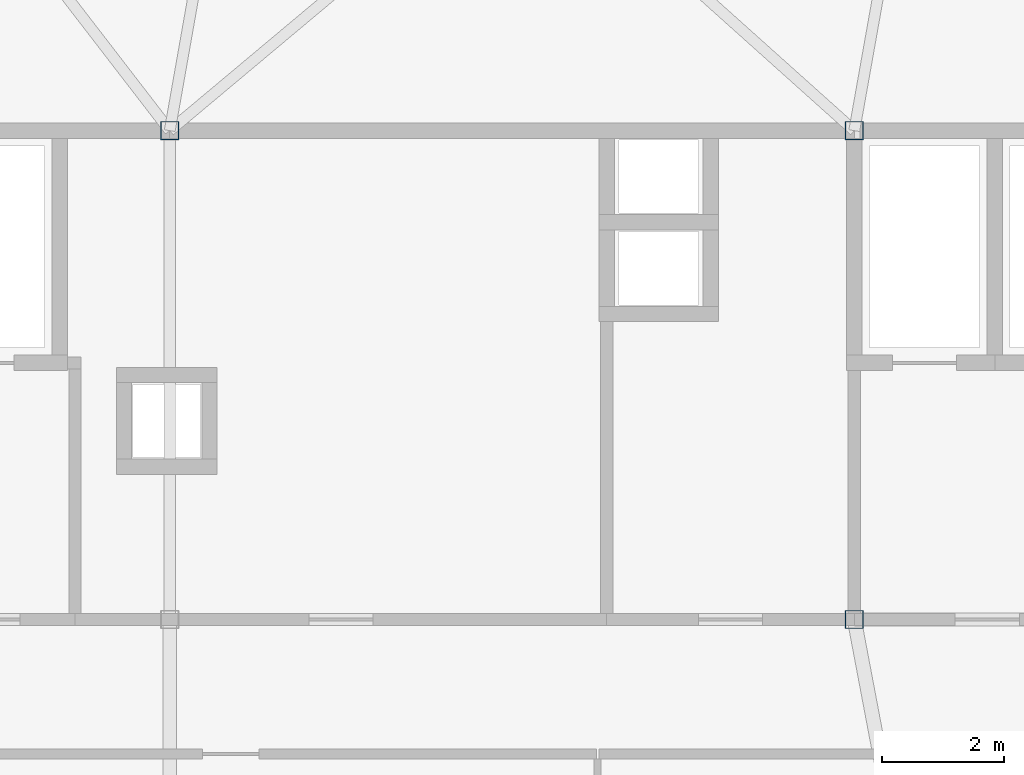
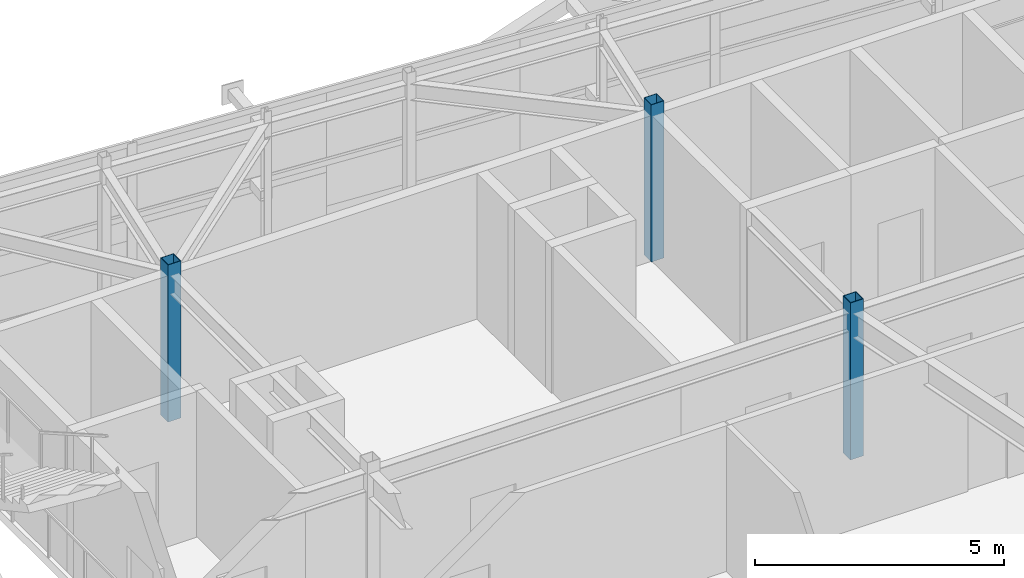
# One storey, part 4 of 35: 3 columns.
"""IFC4 building model written with IfcOpenShell, lengths in metres."""

import ifcopenshell
import ifcopenshell.guid

model = None  # the IFC model being written
_history = None  # IfcOwnerHistory: only IFC2X3 demands one
_inside = {}  # id of a spatial element -> (the spatial element, [elements in it])
_under = {}  # id of a project, library or spatial element -> (it, [spatial elements below it])
_declared = {}  # id of a project -> (the project, [libraries it declares])
_typed = {}  # id of a type object -> (the type object, [elements of that type])
_made_of = {}  # id of a material, layer set ... -> (it, [elements and type objects made of it])


def new_model(schema):
    """Start an empty IFC model of exactly this schema.

    Asked for "IFC4X3", IfcOpenShell would pick the latest addendum, in which some entities
    have other attributes; the version numbers below select the first issue.
    IFC2X3 requires an IfcOwnerHistory on every rooted entity: one is made here for all.
    """
    global model, _history
    if schema == "IFC4X3":
        model = ifcopenshell.file(schema_version=(4, 3, 0, 0))
    else:
        model = ifcopenshell.file(schema=schema)
    _inside.clear()
    _under.clear()
    _declared.clear()
    _typed.clear()
    _made_of.clear()
    _history = None
    if model.schema == "IFC2X3":
        org = make("IfcOrganization", Name="unknown")
        user = make(
            "IfcPersonAndOrganization",
            ThePerson=make("IfcPerson", FamilyName="unknown"),
            TheOrganization=org,
        )
        app = make(
            "IfcApplication",
            ApplicationDeveloper=org,
            Version="unknown",
            ApplicationFullName="unknown",
            ApplicationIdentifier="unknown",
        )
        _history = make(
            "IfcOwnerHistory",
            OwningUser=user,
            OwningApplication=app,
            ChangeAction="ADDED",
            CreationDate=0,
        )
    return model


def make(cls, **values):
    """One entity of the class cls with the attributes given. An attribute that is None is left unset."""
    return model.create_entity(
        cls, **{name: value for name, value in values.items() if value is not None}
    )


def rooted(cls, **values):
    """An entity with a GlobalId (a new one), such as an element, a storey or a relation."""
    return make(cls, GlobalId=ifcopenshell.guid.new(), OwnerHistory=_history, **values)


def si_unit(unit_type, name, prefix=None):
    """IfcSIUnit, for example si_unit("LENGTHUNIT", "METRE", prefix="MILLI")."""
    return make("IfcSIUnit", UnitType=unit_type, Prefix=prefix, Name=name)


def assignment(units):
    """IfcUnitAssignment: the units of a project."""
    return None if units is None else make("IfcUnitAssignment", Units=units)


def point(xyz):
    """IfcCartesianPoint."""
    return None if xyz is None else make("IfcCartesianPoint", Coordinates=xyz)


def direction(xyz):
    """IfcDirection."""
    return None if xyz is None else make("IfcDirection", DirectionRatios=xyz)


def frame(location, z_axis=None, x_axis=None):
    """IfcAxis2Placement3D, a coordinate frame: its origin and axes. An axis left out is left unset."""
    return make(
        "IfcAxis2Placement3D",
        Location=point(location),
        Axis=direction(z_axis),
        RefDirection=direction(x_axis),
    )


def frame_2d(location, x_axis=None):
    """IfcAxis2Placement2D, a coordinate frame in the plane: its origin and x axis."""
    return make(
        "IfcAxis2Placement2D", Location=point(location), RefDirection=direction(x_axis)
    )


def origin():
    """The frame at (0, 0, 0) with its axes left unset."""
    return frame((0.0, 0.0, 0.0))


def origin_2d():
    """The frame at (0, 0) in the plane with its x axis left unset."""
    return frame_2d((0.0, 0.0))


def place(relative_to, where):
    """IfcLocalPlacement: puts the frame where relative to a parent placement (None: the world)."""
    return make(
        "IfcLocalPlacement", PlacementRelTo=relative_to, RelativePlacement=where
    )


def context(
    kind, dimensions, precision=None, world=None, true_north=None, identifier=None
):
    """IfcGeometricRepresentationContext, for example the 3D "Model" context."""
    return make(
        "IfcGeometricRepresentationContext",
        ContextIdentifier=identifier,
        ContextType=kind,
        CoordinateSpaceDimension=dimensions,
        Precision=precision,
        WorldCoordinateSystem=world,
        TrueNorth=true_north,
    )


def subcontext(parent, identifier, kind, view, scale=None):
    """IfcGeometricRepresentationSubContext, for example "Body" below "Model"."""
    return make(
        "IfcGeometricRepresentationSubContext",
        ContextIdentifier=identifier,
        ContextType=kind,
        ParentContext=parent,
        TargetScale=scale,
        TargetView=view,
    )


def project(units=None, contexts=None):
    """IfcProject with its units and contexts."""
    return rooted(
        "IfcProject",
        Name="project",
        RepresentationContexts=contexts,
        UnitsInContext=assignment(units),
    )


def spatial(cls, under=None, at=None, **own):
    """A site, building, storey or space (cls), placed at a placement, below another one or the project."""
    s = rooted(cls, ObjectPlacement=at, **own)
    if under is not None:
        _under.setdefault(under.id(), (under, []))[1].append(s)
    return s


def profile(cls, at=None, kind="AREA", **sizes):
    """A parametric profile (cls). Its sizes go by their IFC names, for example OverallWidth=200.0."""
    return make(cls, ProfileType=kind, Position=at, **sizes)


def hollow_rectangle(**sizes):
    """IfcRectangleHollowProfileDef."""
    return profile("IfcRectangleHollowProfileDef", **sizes)


def extrude(swept, where, along, depth):
    """IfcExtrudedAreaSolid: the profile swept, set in the frame where, extruded along a direction by depth."""
    return make(
        "IfcExtrudedAreaSolid",
        SweptArea=swept,
        Position=where,
        ExtrudedDirection=direction(along),
        Depth=depth,
    )


def shape(context_of_items, identifier, shape_type, items):
    """IfcShapeRepresentation: the items that make up one representation, for example the "Body"."""
    return make(
        "IfcShapeRepresentation",
        ContextOfItems=context_of_items,
        RepresentationIdentifier=identifier,
        RepresentationType=shape_type,
        Items=items,
    )


def source(mapping_origin, context_of_items, identifier, shape_type, items):
    """IfcRepresentationMap: a shape defined once, which mapped items show again and again."""
    return make(
        "IfcRepresentationMap",
        MappingOrigin=mapping_origin,
        MappedRepresentation=shape(context_of_items, identifier, shape_type, items),
    )


def transform(
    local_origin,
    x_axis=None,
    y_axis=None,
    z_axis=None,
    scale=None,
    scale2=None,
    scale3=None,
    uniform=True,
):
    """IfcCartesianTransformationOperator3D, or its non-uniform kind. x_axis, y_axis, z_axis: its Axis1, 2, 3."""
    if uniform:
        return make(
            "IfcCartesianTransformationOperator3D",
            Axis1=direction(x_axis),
            Axis2=direction(y_axis),
            LocalOrigin=point(local_origin),
            Scale=scale,
            Axis3=direction(z_axis),
        )
    return make(
        "IfcCartesianTransformationOperator3DnonUniform",
        Axis1=direction(x_axis),
        Axis2=direction(y_axis),
        LocalOrigin=point(local_origin),
        Scale=scale,
        Axis3=direction(z_axis),
        Scale2=scale2,
        Scale3=scale3,
    )


def mapped(mapping_source, mapping_target):
    """IfcMappedItem: shows the shape of a source again, moved by a transform."""
    return make(
        "IfcMappedItem", MappingSource=mapping_source, MappingTarget=mapping_target
    )


def material(Name=None, Category=None):
    """IfcMaterial."""
    return make("IfcMaterial", Name=Name, Category=Category)


def material_profile(
    of_material, cross_section, Name=None, Category=None, Priority=None
):
    """IfcMaterialProfile: a cross section and its material."""
    return make(
        "IfcMaterialProfile",
        Name=Name,
        Material=of_material,
        Profile=cross_section,
        Priority=Priority,
        Category=Category,
    )


def profile_set(profiles, Name=None, composite=None):
    """IfcMaterialProfileSet."""
    return make(
        "IfcMaterialProfileSet",
        Name=Name,
        MaterialProfiles=profiles,
        CompositeProfile=composite,
    )


def made_of(thing, what):
    """Note that an element or type object is made of a material, layer set ...; save() writes the relation."""
    if what is not None:
        _made_of.setdefault(what.id(), (what, []))[1].append(thing)
    return thing


def type_object(cls, material=None, **own):
    """A type object (cls), such as IfcWallType, which elements share."""
    return made_of(rooted(cls, **own), material)


def element(
    cls,
    number,
    at=None,
    inside=None,
    cuts=None,
    type_object=None,
    material=None,
    context=None,
    identifier="Body",
    shape_type=None,
    held_by="IfcProductDefinitionShape",
    body=None,
    shapes=None,
    **own,
):
    """One element of the class cls, such as IfcWall. Its Tag is "e" and its number.

    at: its placement. inside: the storey or other place that contains it. cuts: it is an
    opening in that element (IfcRelVoidsElement). A single representation is given by context,
    identifier, shape_type and body (its items); several are given by shapes. held_by: the class
    of the entity that holds the representations. save() writes the other relations.
    """
    e = rooted(cls, Tag="e%d" % number, ObjectPlacement=at, **own)
    if body is not None:
        shapes = [shape(context, identifier, shape_type, body)]
    if shapes is not None:
        e.Representation = make(held_by, Representations=shapes)
    if inside is not None:
        _inside.setdefault(inside.id(), (inside, []))[1].append(e)
    if cuts is not None:
        rooted(
            "IfcRelVoidsElement", RelatingBuildingElement=cuts, RelatedOpeningElement=e
        )
    if type_object is not None:
        _typed.setdefault(type_object.id(), (type_object, []))[1].append(e)
    return made_of(e, material)


def aggregate(whole, parts):
    """IfcRelAggregates: a whole, such as a stair, and the parts it consists of."""
    return rooted("IfcRelAggregates", RelatingObject=whole, RelatedObjects=parts)


def save(model, path):
    """Write the relations noted so far, then the file.

    IfcRelAggregates (storeys below a building ...), IfcRelContainedInSpatialStructure (elements
    in a storey), IfcRelDefinesByType, IfcRelAssociatesMaterial and IfcRelDeclares: one each for
    every whole, place, type object, material and project.
    """
    for whole, parts in _under.values():
        aggregate(whole, parts)
    for where, things in _inside.values():
        rooted(
            "IfcRelContainedInSpatialStructure",
            RelatedElements=things,
            RelatingStructure=where,
        )
    for kind, things in _typed.values():
        rooted("IfcRelDefinesByType", RelatedObjects=things, RelatingType=kind)
    for what, things in _made_of.values():
        rooted("IfcRelAssociatesMaterial", RelatedObjects=things, RelatingMaterial=what)
    for by, libraries in _declared.values():
        rooted("IfcRelDeclares", RelatingContext=by, RelatedDefinitions=libraries)
    model.write(path)


model = new_model("IFC4")

# Units and contexts
model_context = context("Model", 3, precision=1e-05, world=origin(), true_north=direction((0.0, 1.0)))
body_context = subcontext(model_context, "Body", "Model", "MODEL_VIEW")
ifc_project = project(units=[si_unit("LENGTHUNIT", "METRE"), si_unit("AREAUNIT", "SQUARE_METRE"), si_unit("VOLUMEUNIT", "CUBIC_METRE"), si_unit("PLANEANGLEUNIT", "RADIAN"), si_unit("MASSUNIT", "GRAM", prefix="KILO")], contexts=[model_context])

# Site, building, storey
site_placement = place(None, origin())
site = spatial("IfcSite", under=ifc_project, at=site_placement, CompositionType="ELEMENT")
building_placement = place(site_placement, origin())
building = spatial("IfcBuilding", under=site, at=building_placement, Name="Taldren Reach Tower", CompositionType="ELEMENT")
storey_placement = place(building_placement, frame((0.0, 0.0, 249.199951171875)))
storey = spatial("IfcBuildingStorey", under=building, at=storey_placement, Name="L76", CompositionType="ELEMENT", Elevation=249.199951171875)

# Columns
ifc_material = material(Name="Steel Gr 450 (C450L0)", Category="steel")
ifc_material_profile = material_profile(ifc_material, hollow_rectangle(XDim=0.300048828125, YDim=0.300048828125, WallThickness=0.012451171875, at=origin_2d()), Name="300x300x12.5SHS")
ifc_profile_set = profile_set([ifc_material_profile], Name="Steel Gr 450 (C450L0)")
column_type = type_object("IfcColumnType", Name="COL-SHS300", PredefinedType="COLUMN", material=ifc_profile_set)
shared_shape = source(origin(), body_context, "Body", "SweptSolid", [
    extrude(hollow_rectangle(XDim=0.300048828125, YDim=0.300048828125, WallThickness=0.012451171875, at=origin_2d()), origin(), (0.0, 0.0, 1.0), 3.85009765625),
])
for number, where, z_axis, x_axis, name in (
    (1, (39.199951171875, 24.0, 0.0), (0.0, 0.0, 1.0), (1.0, 0.0, 0.0), "Mega column MC-C3 L76"),
    (2, (28.0, 32.0, 0.0), (0.0, 0.0, 1.0), (1.0, 0.0, 0.0), "Mega column MC-C6 L76"),
    (3, (39.199951171875, 32.0, 0.0), (0.0, 0.0, 1.0), (1.0, 0.0, 0.0), "Mega column MC-C7 L76"),
):
    element("IfcColumn", number, at=place(storey_placement, frame(where, z_axis=z_axis, x_axis=x_axis)), inside=storey, type_object=column_type, Name=name, PredefinedType="COLUMN", context=body_context, shape_type="MappedRepresentation", body=[
        mapped(shared_shape, transform((0.0, 0.0, 0.0), scale=1.0)),
    ])

save(model, "model.ifc")
